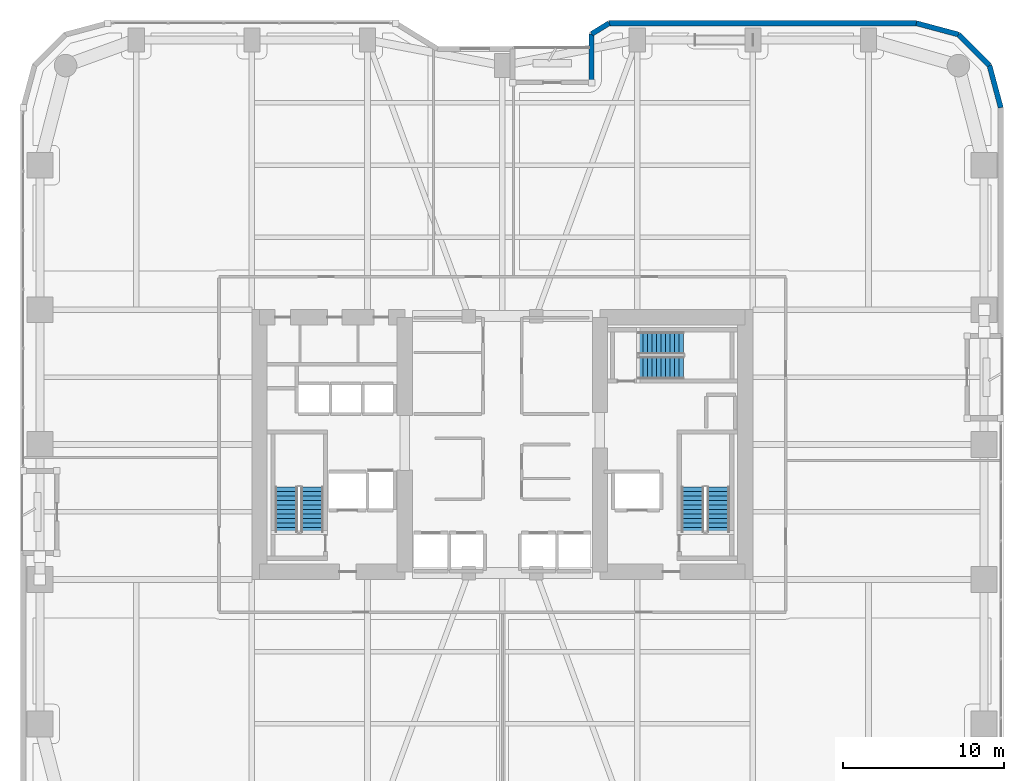
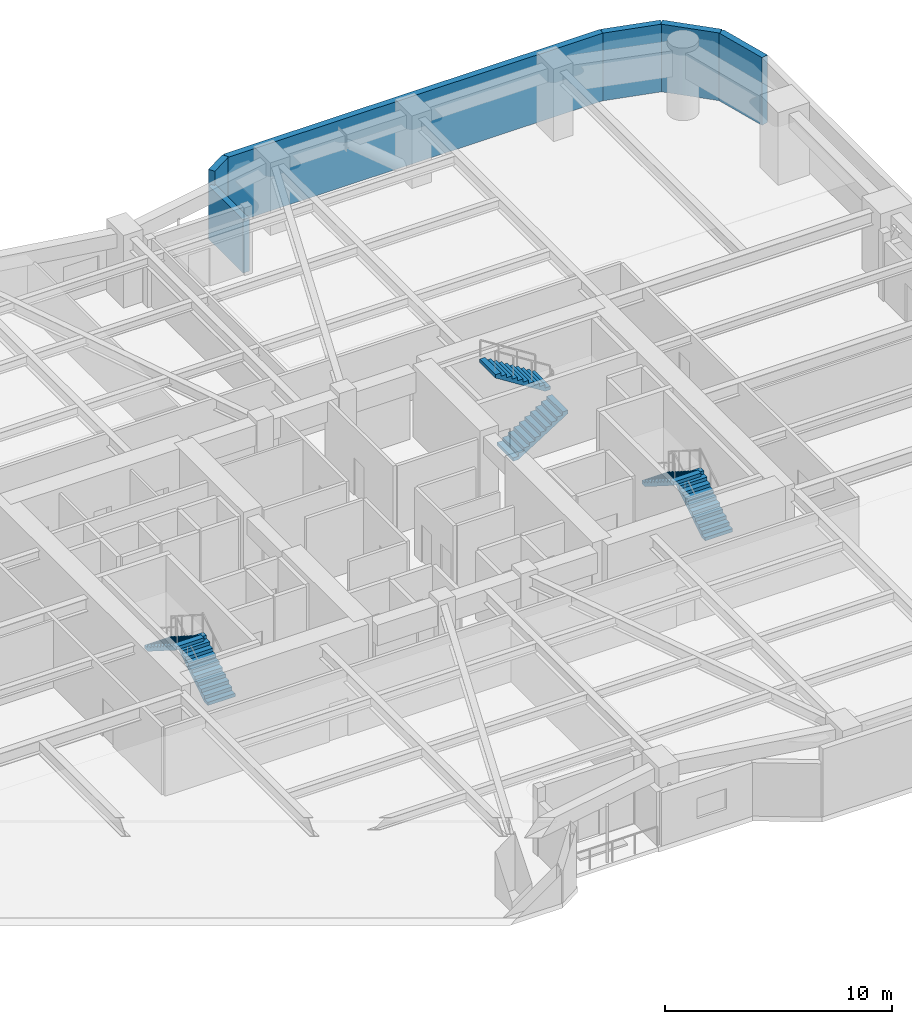
# One storey, part 25 of 29: 6 stair flights, 6 walls, 3 elements without a shape of their own.
"""IFC4 building model written with IfcOpenShell, lengths in metres."""

import ifcopenshell
import ifcopenshell.guid

model = None  # the IFC model being written
_history = None  # IfcOwnerHistory: only IFC2X3 demands one
_inside = {}  # id of a spatial element -> (the spatial element, [elements in it])
_under = {}  # id of a project, library or spatial element -> (it, [spatial elements below it])
_declared = {}  # id of a project -> (the project, [libraries it declares])
_typed = {}  # id of a type object -> (the type object, [elements of that type])
_made_of = {}  # id of a material, layer set ... -> (it, [elements and type objects made of it])


def new_model(schema):
    """Start an empty IFC model of exactly this schema.

    Asked for "IFC4X3", IfcOpenShell would pick the latest addendum, in which some entities
    have other attributes; the version numbers below select the first issue.
    IFC2X3 requires an IfcOwnerHistory on every rooted entity: one is made here for all.
    """
    global model, _history
    if schema == "IFC4X3":
        model = ifcopenshell.file(schema_version=(4, 3, 0, 0))
    else:
        model = ifcopenshell.file(schema=schema)
    _inside.clear()
    _under.clear()
    _declared.clear()
    _typed.clear()
    _made_of.clear()
    _history = None
    if model.schema == "IFC2X3":
        org = make("IfcOrganization", Name="unknown")
        user = make(
            "IfcPersonAndOrganization",
            ThePerson=make("IfcPerson", FamilyName="unknown"),
            TheOrganization=org,
        )
        app = make(
            "IfcApplication",
            ApplicationDeveloper=org,
            Version="unknown",
            ApplicationFullName="unknown",
            ApplicationIdentifier="unknown",
        )
        _history = make(
            "IfcOwnerHistory",
            OwningUser=user,
            OwningApplication=app,
            ChangeAction="ADDED",
            CreationDate=0,
        )
    return model


def make(cls, **values):
    """One entity of the class cls with the attributes given. An attribute that is None is left unset."""
    return model.create_entity(
        cls, **{name: value for name, value in values.items() if value is not None}
    )


def rooted(cls, **values):
    """An entity with a GlobalId (a new one), such as an element, a storey or a relation."""
    return make(cls, GlobalId=ifcopenshell.guid.new(), OwnerHistory=_history, **values)


def si_unit(unit_type, name, prefix=None):
    """IfcSIUnit, for example si_unit("LENGTHUNIT", "METRE", prefix="MILLI")."""
    return make("IfcSIUnit", UnitType=unit_type, Prefix=prefix, Name=name)


def assignment(units):
    """IfcUnitAssignment: the units of a project."""
    return None if units is None else make("IfcUnitAssignment", Units=units)


def point(xyz):
    """IfcCartesianPoint."""
    return None if xyz is None else make("IfcCartesianPoint", Coordinates=xyz)


def direction(xyz):
    """IfcDirection."""
    return None if xyz is None else make("IfcDirection", DirectionRatios=xyz)


def frame(location, z_axis=None, x_axis=None):
    """IfcAxis2Placement3D, a coordinate frame: its origin and axes. An axis left out is left unset."""
    return make(
        "IfcAxis2Placement3D",
        Location=point(location),
        Axis=direction(z_axis),
        RefDirection=direction(x_axis),
    )


def frame_2d(location, x_axis=None):
    """IfcAxis2Placement2D, a coordinate frame in the plane: its origin and x axis."""
    return make(
        "IfcAxis2Placement2D", Location=point(location), RefDirection=direction(x_axis)
    )


def origin():
    """The frame at (0, 0, 0) with its axes left unset."""
    return frame((0.0, 0.0, 0.0))


def place(relative_to, where):
    """IfcLocalPlacement: puts the frame where relative to a parent placement (None: the world)."""
    return make(
        "IfcLocalPlacement", PlacementRelTo=relative_to, RelativePlacement=where
    )


def context(
    kind, dimensions, precision=None, world=None, true_north=None, identifier=None
):
    """IfcGeometricRepresentationContext, for example the 3D "Model" context."""
    return make(
        "IfcGeometricRepresentationContext",
        ContextIdentifier=identifier,
        ContextType=kind,
        CoordinateSpaceDimension=dimensions,
        Precision=precision,
        WorldCoordinateSystem=world,
        TrueNorth=true_north,
    )


def subcontext(parent, identifier, kind, view, scale=None):
    """IfcGeometricRepresentationSubContext, for example "Body" below "Model"."""
    return make(
        "IfcGeometricRepresentationSubContext",
        ContextIdentifier=identifier,
        ContextType=kind,
        ParentContext=parent,
        TargetScale=scale,
        TargetView=view,
    )


def project(units=None, contexts=None):
    """IfcProject with its units and contexts."""
    return rooted(
        "IfcProject",
        Name="project",
        RepresentationContexts=contexts,
        UnitsInContext=assignment(units),
    )


def spatial(cls, under=None, at=None, **own):
    """A site, building, storey or space (cls), placed at a placement, below another one or the project."""
    s = rooted(cls, ObjectPlacement=at, **own)
    if under is not None:
        _under.setdefault(under.id(), (under, []))[1].append(s)
    return s


def polyline(points):
    """IfcPolyline through the points."""
    return make("IfcPolyline", Points=[point(p) for p in points])


def profile(cls, at=None, kind="AREA", **sizes):
    """A parametric profile (cls). Its sizes go by their IFC names, for example OverallWidth=200.0."""
    return make(cls, ProfileType=kind, Position=at, **sizes)


def rectangle(**sizes):
    """IfcRectangleProfileDef."""
    return profile("IfcRectangleProfileDef", **sizes)


def outline(outer, holes=None, kind="AREA"):
    """IfcArbitraryClosedProfileDef: a profile drawn as a closed curve; with holes, ...WithVoids."""
    if holes is None:
        return make("IfcArbitraryClosedProfileDef", ProfileType=kind, OuterCurve=outer)
    return make(
        "IfcArbitraryProfileDefWithVoids",
        ProfileType=kind,
        OuterCurve=outer,
        InnerCurves=holes,
    )


def extrude(swept, where, along, depth):
    """IfcExtrudedAreaSolid: the profile swept, set in the frame where, extruded along a direction by depth."""
    return make(
        "IfcExtrudedAreaSolid",
        SweptArea=swept,
        Position=where,
        ExtrudedDirection=direction(along),
        Depth=depth,
    )


def shape(context_of_items, identifier, shape_type, items):
    """IfcShapeRepresentation: the items that make up one representation, for example the "Body"."""
    return make(
        "IfcShapeRepresentation",
        ContextOfItems=context_of_items,
        RepresentationIdentifier=identifier,
        RepresentationType=shape_type,
        Items=items,
    )


def material(Name=None, Category=None):
    """IfcMaterial."""
    return make("IfcMaterial", Name=Name, Category=Category)


def layer(
    of_material, thickness, ventilated=None, Name=None, Category=None, Priority=None
):
    """IfcMaterialLayer: one layer of a wall or slab, of a material (None: an air gap)."""
    return make(
        "IfcMaterialLayer",
        Material=of_material,
        LayerThickness=thickness,
        IsVentilated=ventilated,
        Name=Name,
        Category=Category,
        Priority=Priority,
    )


def layer_set(layers, Name=None):
    """IfcMaterialLayerSet."""
    return make("IfcMaterialLayerSet", MaterialLayers=layers, LayerSetName=Name)


def made_of(thing, what):
    """Note that an element or type object is made of a material, layer set ...; save() writes the relation."""
    if what is not None:
        _made_of.setdefault(what.id(), (what, []))[1].append(thing)
    return thing


def type_object(cls, material=None, **own):
    """A type object (cls), such as IfcWallType, which elements share."""
    return made_of(rooted(cls, **own), material)


def element(
    cls,
    number,
    at=None,
    inside=None,
    cuts=None,
    type_object=None,
    material=None,
    context=None,
    identifier="Body",
    shape_type=None,
    held_by="IfcProductDefinitionShape",
    body=None,
    shapes=None,
    **own,
):
    """One element of the class cls, such as IfcWall. Its Tag is "e" and its number.

    at: its placement. inside: the storey or other place that contains it. cuts: it is an
    opening in that element (IfcRelVoidsElement). A single representation is given by context,
    identifier, shape_type and body (its items); several are given by shapes. held_by: the class
    of the entity that holds the representations. save() writes the other relations.
    """
    e = rooted(cls, Tag="e%d" % number, ObjectPlacement=at, **own)
    if body is not None:
        shapes = [shape(context, identifier, shape_type, body)]
    if shapes is not None:
        e.Representation = make(held_by, Representations=shapes)
    if inside is not None:
        _inside.setdefault(inside.id(), (inside, []))[1].append(e)
    if cuts is not None:
        rooted(
            "IfcRelVoidsElement", RelatingBuildingElement=cuts, RelatedOpeningElement=e
        )
    if type_object is not None:
        _typed.setdefault(type_object.id(), (type_object, []))[1].append(e)
    return made_of(e, material)


def aggregate(whole, parts):
    """IfcRelAggregates: a whole, such as a stair, and the parts it consists of."""
    return rooted("IfcRelAggregates", RelatingObject=whole, RelatedObjects=parts)


def save(model, path):
    """Write the relations noted so far, then the file.

    IfcRelAggregates (storeys below a building ...), IfcRelContainedInSpatialStructure (elements
    in a storey), IfcRelDefinesByType, IfcRelAssociatesMaterial and IfcRelDeclares: one each for
    every whole, place, type object, material and project.
    """
    for whole, parts in _under.values():
        aggregate(whole, parts)
    for where, things in _inside.values():
        rooted(
            "IfcRelContainedInSpatialStructure",
            RelatedElements=things,
            RelatingStructure=where,
        )
    for kind, things in _typed.values():
        rooted("IfcRelDefinesByType", RelatedObjects=things, RelatingType=kind)
    for what, things in _made_of.values():
        rooted("IfcRelAssociatesMaterial", RelatedObjects=things, RelatingMaterial=what)
    for by, libraries in _declared.values():
        rooted("IfcRelDeclares", RelatingContext=by, RelatedDefinitions=libraries)
    model.write(path)


model = new_model("IFC4")

# Units and contexts
model_context = context("Model", 3, precision=1e-05, world=origin(), true_north=direction((0.0, 1.0)))
body_context = subcontext(model_context, "Body", "Model", "MODEL_VIEW")
ifc_project = project(units=[si_unit("LENGTHUNIT", "METRE"), si_unit("AREAUNIT", "SQUARE_METRE"), si_unit("VOLUMEUNIT", "CUBIC_METRE"), si_unit("PLANEANGLEUNIT", "RADIAN"), si_unit("MASSUNIT", "GRAM", prefix="KILO")], contexts=[model_context])

# Site, building, storey
site_placement = place(None, origin())
site = spatial("IfcSite", under=ifc_project, at=site_placement, CompositionType="ELEMENT")
building_placement = place(site_placement, origin())
building = spatial("IfcBuilding", under=site, at=building_placement, Name="Kiyonajd Concourse Tower", CompositionType="ELEMENT")
storey_placement = place(building_placement, frame((0.0, 0.0, 25.5)))
storey = spatial("IfcBuildingStorey", under=building, at=storey_placement, Name="L07", CompositionType="ELEMENT", Elevation=25.5)

# Walls
ifc_material_1 = material(Name="Precast concrete C50/60", Category="concrete")
ifc_layer = layer(ifc_material_1, 0.320068359375)
ifc_layer_set = layer_set([ifc_layer], Name="Precast concrete C50/60")
wall_type = type_object("IfcWallType", Name="WL-EXT-320", PredefinedType="SOLIDWALL", material=ifc_layer_set)
wall_1_placement = place(storey_placement, frame((53.56005859375, 58.5400390625, 0.0), z_axis=(0.0, 0.0, 1.0), x_axis=(0.0, 1.0, 0.0)))
element("IfcWall", 1, at=wall_1_placement, inside=storey, type_object=wall_type, Name="L07 Exterior Concrete Frame Wall 14", PredefinedType="SOLIDWALL", context=body_context, shape_type="SweptSolid", body=[
    extrude(rectangle(XDim=3.032470703125, YDim=0.320068359375, at=frame_2d((1.51611328125, 0.0))), origin(), (0.0, 0.0, 1.0), 2.875),
])
wall_2_placement = place(storey_placement, frame((53.56005859375, 61.572509765625, 0.0), z_axis=(0.0, 0.0, 1.0), x_axis=(0.851776724646, 0.523904964045, 0.0)))
element("IfcWall", 2, at=wall_2_placement, inside=storey, type_object=wall_type, Name="L07 Exterior Concrete Frame Wall 15", PredefinedType="SOLIDWALL", context=body_context, shape_type="SweptSolid", body=[
    extrude(rectangle(XDim=1.274169921875, YDim=0.320068359375, at=frame_2d((0.63720703125, 0.0))), origin(), (0.0, 0.0, 1.0), 3.639892578125),
])
wall_3_placement = place(storey_placement, frame((54.645263671875, 62.239990234375, 0.0), z_axis=(0.0, 0.0, 1.0), x_axis=(1.0, 0.0, 0.0)))
element("IfcWall", 3, at=wall_3_placement, inside=storey, type_object=wall_type, Name="L07 Exterior Concrete Frame Wall 16", PredefinedType="SOLIDWALL", context=body_context, shape_type="SweptSolid", body=[
    extrude(rectangle(XDim=19.133544921875, YDim=0.320068359375, at=frame_2d((9.56689453125, 0.0))), origin(), (0.0, 0.0, 1.0), 3.639892578125),
])
wall_4_placement = place(storey_placement, frame((73.77880859375, 62.239990234375, 0.0), z_axis=(0.0, 0.0, 1.0), x_axis=(0.965964405026, -0.25867502435, 0.0)))
element("IfcWall", 4, at=wall_4_placement, inside=storey, type_object=wall_type, Name="L07 Exterior Concrete Frame Wall 17", PredefinedType="SOLIDWALL", context=body_context, shape_type="SweptSolid", body=[
    extrude(rectangle(XDim=2.7314453125, YDim=0.320068359375, at=frame_2d((1.36572265625, 0.0))), origin(), (0.0, 0.0, 1.0), 3.639892578125),
])
wall_5_placement = place(storey_placement, frame((76.417236328125, 61.533447265625, 0.0), z_axis=(0.0, 0.0, 1.0), x_axis=(0.707106781187, -0.707106781187, 0.0)))
element("IfcWall", 5, at=wall_5_placement, inside=storey, type_object=wall_type, Name="L07 Exterior Concrete Frame Wall 18", PredefinedType="SOLIDWALL", context=body_context, shape_type="SweptSolid", body=[
    extrude(rectangle(XDim=2.7099609375, YDim=0.320068359375, at=frame_2d((1.35498046875, 0.0))), origin(), (0.0, 0.0, 1.0), 3.639892578125),
])
wall_6_placement = place(storey_placement, frame((78.33349609375, 59.6171875, 0.0), z_axis=(0.0, 0.0, 1.0), x_axis=(0.25869736047, -0.965958423373, 0.0)))
element("IfcWall", 6, at=wall_6_placement, inside=storey, type_object=wall_type, Name="L07 Exterior Concrete Frame Wall 19", PredefinedType="SOLIDWALL", context=body_context, shape_type="SweptSolid", body=[
    extrude(rectangle(XDim=2.731201171875, YDim=0.320068359375, at=frame_2d((1.36572265625, 0.0))), origin(), (0.0, 0.0, 1.0), 3.639892578125),
])

# Stair, stair flights
ifc_material_2 = material(Name="Concrete C40/50", Category="concrete")
stair_type = type_object("IfcStairType", Name="ST-DLG-22R", PredefinedType="HALF_TURN_STAIR", material=ifc_material_2)
stair_1_placement = place(storey_placement, origin())
stair_1 = element("IfcStair", 7, at=stair_1_placement, inside=storey, type_object=stair_type, Name="L07 Protected Exit Stair ST1", PredefinedType="HALF_TURN_STAIR")
stair_flight_type = type_object("IfcStairFlightType", Name="SF-STR-22R", PredefinedType="STRAIGHT", material=ifc_material_2)
stair_flight_1_placement = place(storey_placement, frame((36.14990234375, 30.550048828125, 0.0), z_axis=(0.0, 0.0, 1.0), x_axis=(0.0, 1.0, 0.0)))
stair_flight_1 = element("IfcStairFlight", 8, at=stair_flight_1_placement, type_object=stair_flight_type, Name="ST1 flight 1", NumberOfRisers=11, NumberOfTreads=10, PredefinedType="STRAIGHT", RiserHeight=0.177272727, TreadLength=0.28, context=body_context, shape_type="SweptSolid", body=[
    extrude(outline(polyline([(0.0, 0.0), (0.0, 0.17724609375), (0.280029296875, 0.17724609375), (0.280029296875, 0.3544921875), (0.56005859375, 0.3544921875), (0.56005859375, 0.53173828125), (0.840087890625, 0.53173828125), (0.840087890625, 0.708984375), (1.1201171875, 0.708984375), (1.1201171875, 0.886474609375), (1.39990234375, 0.886474609375), (1.39990234375, 1.063720703125), (1.679931640625, 1.063720703125), (1.679931640625, 1.240966796875), (1.9599609375, 1.240966796875), (1.9599609375, 1.418212890625), (2.239990234375, 1.418212890625), (2.239990234375, 1.595458984375), (2.52001953125, 1.595458984375), (2.52001953125, 1.772705078125), (2.800048828125, 1.772705078125), (2.800048828125, 1.949951171875), (2.800048828125, 1.59521484375), (0.2802734375, 0.0), (0.0, 0.0)])), frame((0.0, 0.699951171875, 0.0), z_axis=(0.0, -1.0, 0.0), x_axis=(1.0, 0.0, 0.0)), (0.0, 0.0, 1.0), 1.39990234375),
])
stair_flight_2_placement = place(storey_placement, frame((34.550048828125, 33.35009765625, 1.949951171875), z_axis=(0.0, 0.0, 1.0), x_axis=(0.0, -1.0, 0.0)))
stair_flight_2 = element("IfcStairFlight", 9, at=stair_flight_2_placement, type_object=stair_flight_type, Name="ST1 flight 2", NumberOfRisers=11, NumberOfTreads=10, PredefinedType="STRAIGHT", RiserHeight=0.177272727, TreadLength=0.28, context=body_context, shape_type="SweptSolid", body=[
    extrude(outline(polyline([(0.0, 0.0), (0.0, 0.17724609375), (0.280029296875, 0.17724609375), (0.280029296875, 0.3544921875), (0.56005859375, 0.3544921875), (0.56005859375, 0.53173828125), (0.840087890625, 0.53173828125), (0.840087890625, 0.708984375), (1.1201171875, 0.708984375), (1.1201171875, 0.886474609375), (1.39990234375, 0.886474609375), (1.39990234375, 1.063720703125), (1.679931640625, 1.063720703125), (1.679931640625, 1.240966796875), (1.9599609375, 1.240966796875), (1.9599609375, 1.418212890625), (2.239990234375, 1.418212890625), (2.239990234375, 1.595458984375), (2.52001953125, 1.595458984375), (2.52001953125, 1.772705078125), (2.800048828125, 1.772705078125), (2.800048828125, 1.949951171875), (2.800048828125, 1.59521484375), (0.2802734375, 0.0), (0.0, 0.0)])), frame((0.0, 0.699951171875, 0.0), z_axis=(0.0, -1.0, 0.0), x_axis=(1.0, 0.0, 0.0)), (0.0, 0.0, 1.0), 1.39990234375),
])
aggregate(stair_1, [stair_flight_1, stair_flight_2])

stair_2_placement = place(storey_placement, origin())
stair_2 = element("IfcStair", 10, at=stair_2_placement, inside=storey, type_object=stair_type, Name="L07 Protected Exit Stair ST2", PredefinedType="HALF_TURN_STAIR")
stair_flight_3_placement = place(storey_placement, frame((61.449951171875, 30.550048828125, 0.0), z_axis=(0.0, 0.0, 1.0), x_axis=(0.0, 1.0, 0.0)))
stair_flight_3 = element("IfcStairFlight", 11, at=stair_flight_3_placement, type_object=stair_flight_type, Name="ST2 flight 1", NumberOfRisers=11, NumberOfTreads=10, PredefinedType="STRAIGHT", RiserHeight=0.177272727, TreadLength=0.28, context=body_context, shape_type="SweptSolid", body=[
    extrude(outline(polyline([(0.0, 0.0), (0.0, 0.17724609375), (0.280029296875, 0.17724609375), (0.280029296875, 0.3544921875), (0.56005859375, 0.3544921875), (0.56005859375, 0.53173828125), (0.840087890625, 0.53173828125), (0.840087890625, 0.708984375), (1.1201171875, 0.708984375), (1.1201171875, 0.886474609375), (1.39990234375, 0.886474609375), (1.39990234375, 1.063720703125), (1.679931640625, 1.063720703125), (1.679931640625, 1.240966796875), (1.9599609375, 1.240966796875), (1.9599609375, 1.418212890625), (2.239990234375, 1.418212890625), (2.239990234375, 1.595458984375), (2.52001953125, 1.595458984375), (2.52001953125, 1.772705078125), (2.800048828125, 1.772705078125), (2.800048828125, 1.949951171875), (2.800048828125, 1.59521484375), (0.2802734375, 0.0), (0.0, 0.0)])), frame((0.0, 0.699951171875, 0.0), z_axis=(0.0, -1.0, 0.0), x_axis=(1.0, 0.0, 0.0)), (0.0, 0.0, 1.0), 1.39990234375),
])
stair_flight_4_placement = place(storey_placement, frame((59.85009765625, 33.35009765625, 1.949951171875), z_axis=(0.0, 0.0, 1.0), x_axis=(0.0, -1.0, 0.0)))
stair_flight_4 = element("IfcStairFlight", 12, at=stair_flight_4_placement, type_object=stair_flight_type, Name="ST2 flight 2", NumberOfRisers=11, NumberOfTreads=10, PredefinedType="STRAIGHT", RiserHeight=0.177272727, TreadLength=0.28, context=body_context, shape_type="SweptSolid", body=[
    extrude(outline(polyline([(0.0, 0.0), (0.0, 0.17724609375), (0.280029296875, 0.17724609375), (0.280029296875, 0.3544921875), (0.56005859375, 0.3544921875), (0.56005859375, 0.53173828125), (0.840087890625, 0.53173828125), (0.840087890625, 0.708984375), (1.1201171875, 0.708984375), (1.1201171875, 0.886474609375), (1.39990234375, 0.886474609375), (1.39990234375, 1.063720703125), (1.679931640625, 1.063720703125), (1.679931640625, 1.240966796875), (1.9599609375, 1.240966796875), (1.9599609375, 1.418212890625), (2.239990234375, 1.418212890625), (2.239990234375, 1.595458984375), (2.52001953125, 1.595458984375), (2.52001953125, 1.772705078125), (2.800048828125, 1.772705078125), (2.800048828125, 1.949951171875), (2.800048828125, 1.59521484375), (0.2802734375, 0.0), (0.0, 0.0)])), frame((0.0, 0.699951171875, 0.0), z_axis=(0.0, -1.0, 0.0), x_axis=(1.0, 0.0, 0.0)), (0.0, 0.0, 1.0), 1.39990234375),
])
aggregate(stair_2, [stair_flight_3, stair_flight_4])

stair_3_placement = place(storey_placement, origin())
stair_3 = element("IfcStair", 13, at=stair_3_placement, inside=storey, type_object=stair_type, Name="L07 Protected Exit Stair ST3", PredefinedType="HALF_TURN_STAIR")
stair_flight_5_placement = place(storey_placement, frame((56.47998046875, 40.780029296875, 0.0), z_axis=(0.0, 0.0, 1.0), x_axis=(1.0, 0.0, 0.0)))
stair_flight_5 = element("IfcStairFlight", 14, at=stair_flight_5_placement, type_object=stair_flight_type, Name="ST3 flight 1", NumberOfRisers=11, NumberOfTreads=10, PredefinedType="STRAIGHT", RiserHeight=0.177272727, TreadLength=0.28, context=body_context, shape_type="SweptSolid", body=[
    extrude(outline(polyline([(0.0, 0.0), (0.0, 0.17724609375), (0.280029296875, 0.17724609375), (0.280029296875, 0.3544921875), (0.56005859375, 0.3544921875), (0.56005859375, 0.53173828125), (0.840087890625, 0.53173828125), (0.840087890625, 0.708984375), (1.1201171875, 0.708984375), (1.1201171875, 0.886474609375), (1.39990234375, 0.886474609375), (1.39990234375, 1.063720703125), (1.679931640625, 1.063720703125), (1.679931640625, 1.240966796875), (1.9599609375, 1.240966796875), (1.9599609375, 1.418212890625), (2.239990234375, 1.418212890625), (2.239990234375, 1.595458984375), (2.52001953125, 1.595458984375), (2.52001953125, 1.772705078125), (2.800048828125, 1.772705078125), (2.800048828125, 1.949951171875), (2.800048828125, 1.59521484375), (0.2802734375, 0.0), (0.0, 0.0)])), frame((0.0, 0.699951171875, 0.0), z_axis=(0.0, -1.0, 0.0), x_axis=(1.0, 0.0, 0.0)), (0.0, 0.0, 1.0), 1.39990234375),
])
stair_flight_6_placement = place(storey_placement, frame((59.280029296875, 42.320068359375, 1.949951171875), z_axis=(0.0, 0.0, 1.0), x_axis=(-1.0, 0.0, 0.0)))
stair_flight_6 = element("IfcStairFlight", 15, at=stair_flight_6_placement, type_object=stair_flight_type, Name="ST3 flight 2", NumberOfRisers=11, NumberOfTreads=10, PredefinedType="STRAIGHT", RiserHeight=0.177272727, TreadLength=0.28, context=body_context, shape_type="SweptSolid", body=[
    extrude(outline(polyline([(0.0, 0.0), (0.0, 0.17724609375), (0.280029296875, 0.17724609375), (0.280029296875, 0.3544921875), (0.56005859375, 0.3544921875), (0.56005859375, 0.53173828125), (0.840087890625, 0.53173828125), (0.840087890625, 0.708984375), (1.1201171875, 0.708984375), (1.1201171875, 0.886474609375), (1.39990234375, 0.886474609375), (1.39990234375, 1.063720703125), (1.679931640625, 1.063720703125), (1.679931640625, 1.240966796875), (1.9599609375, 1.240966796875), (1.9599609375, 1.418212890625), (2.239990234375, 1.418212890625), (2.239990234375, 1.595458984375), (2.52001953125, 1.595458984375), (2.52001953125, 1.772705078125), (2.800048828125, 1.772705078125), (2.800048828125, 1.949951171875), (2.800048828125, 1.59521484375), (0.2802734375, 0.0), (0.0, 0.0)])), frame((0.0, 0.699951171875, 0.0), z_axis=(0.0, -1.0, 0.0), x_axis=(1.0, 0.0, 0.0)), (0.0, 0.0, 1.0), 1.39990234375),
])
aggregate(stair_3, [stair_flight_5, stair_flight_6])

save(model, "model.ifc")
